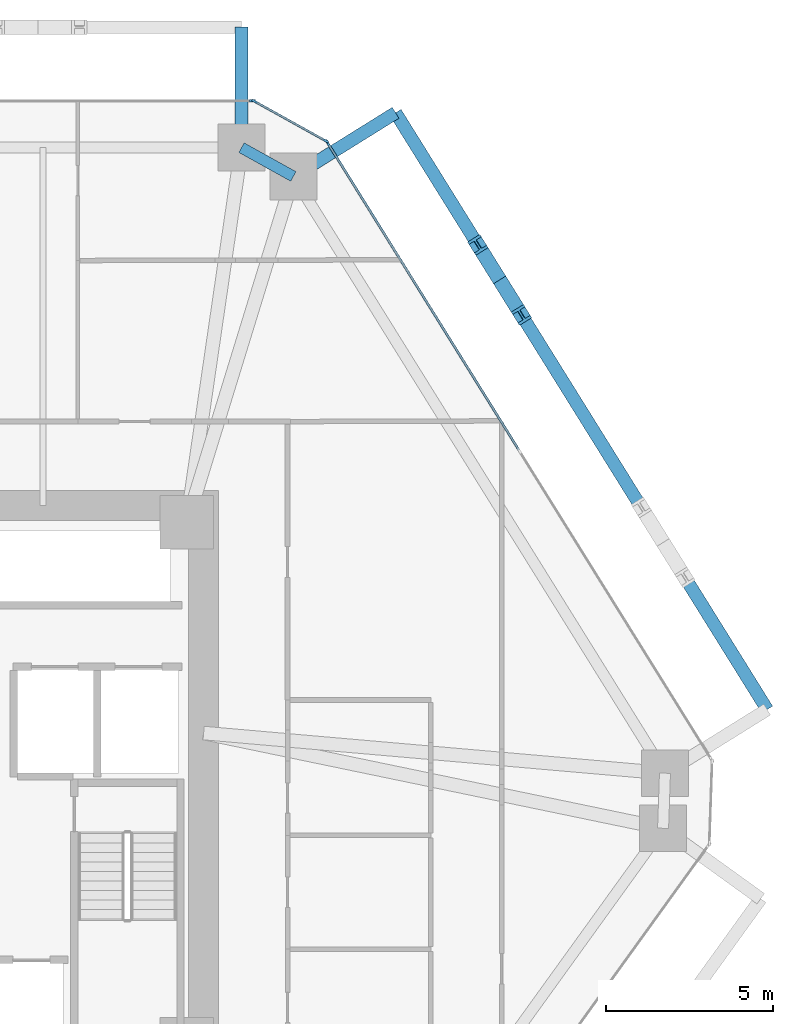
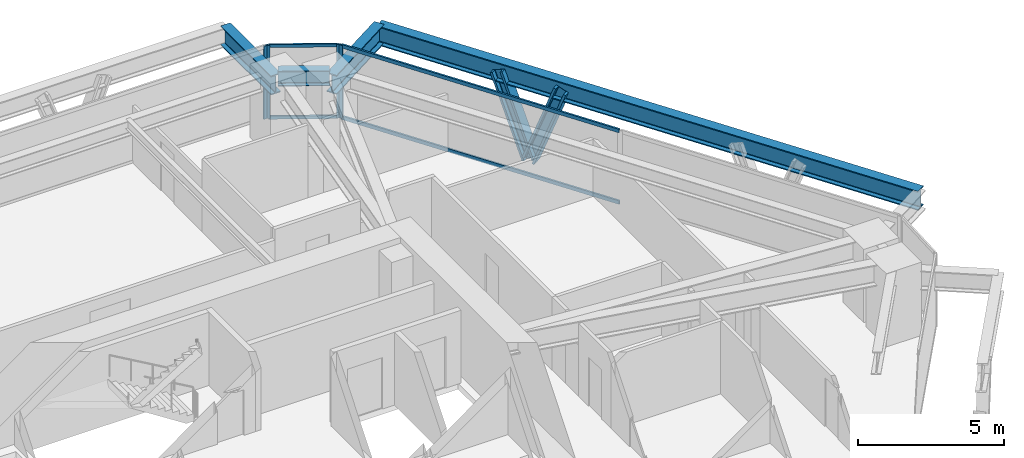
# One storey, part 9 of 15: 10 members, 4 beams, 3 elements without a shape of their own.
"""IFC4 building model written with IfcOpenShell, lengths in metres."""

from ifc_helpers import new_model, si_unit, direction, frame, origin, origin_2d, place, context, subcontext, project, spatial, rectangle, i_section, extrude, source, transform, mapped, material, layer, layer_set, material_profile, profile_set, type_object, type_shapes, element, aggregate, save


model = new_model("IFC4")

# Units and contexts
model_context = context("Model", 3, precision=1e-05, world=origin(), true_north=direction((0.0, 1.0)))
body_context = subcontext(model_context, "Body", "Model", "MODEL_VIEW")
ifc_project = project(units=[si_unit("LENGTHUNIT", "METRE"), si_unit("AREAUNIT", "SQUARE_METRE"), si_unit("VOLUMEUNIT", "CUBIC_METRE"), si_unit("PLANEANGLEUNIT", "RADIAN"), si_unit("MASSUNIT", "GRAM", prefix="KILO")], contexts=[model_context])

# Site, building, storey
site_placement = place(None, origin())
site = spatial("IfcSite", under=ifc_project, at=site_placement, CompositionType="ELEMENT")
building_placement = place(site_placement, origin())
building = spatial("IfcBuilding", under=site, at=building_placement, Name="Durnholm Broadcast Tower", CompositionType="ELEMENT")
storey_placement = place(building_placement, frame((0.0, 0.0, 55.5)))
storey = spatial("IfcBuildingStorey", under=building, at=storey_placement, Name="L13", CompositionType="ELEMENT", Elevation=55.5)

# Beams
ifc_material_1 = material(Name="Steel ASTM A992 Grade 50", Category="steel")
ifc_material_profile_1 = material_profile(ifc_material_1, i_section(OverallWidth=0.3291015625, OverallDepth=0.635009765625, WebThickness=0.017822265625, FlangeThickness=0.031005859375, FilletRadius=0.02783203125, at=origin_2d()), Name="W24X162")
ifc_profile_set_1 = profile_set([ifc_material_profile_1], Name="Steel ASTM A992 Grade 50")
beam_type_1 = type_object("IfcBeamType", Name="STL-SP-W24X162", PredefinedType="SPANDREL", material=ifc_profile_set_1)
shared_shape_1 = source(origin(), body_context, "Body", "SweptSolid", [
    extrude(i_section(OverallWidth=0.3291015625, OverallDepth=0.635009765625, WebThickness=0.017822265625, FlangeThickness=0.031005859375, FilletRadius=0.02783203125, at=origin_2d()), origin(), (0.0, 0.0, 1.0), 1.774658203125),
])
type_shapes(beam_type_1, [shared_shape_1])
beam_1_placement = place(storey_placement, frame((11.43115234375, 19.0, 2.7275390625), z_axis=(0.874248107979, -0.485479397806, 0.0), x_axis=(0.485479397806, 0.874248107979, 0.0)))
element("IfcBeam", 1, at=beam_1_placement, inside=storey, type_object=beam_type_1, Name="L13 perimeter spandrel girder 06", PredefinedType="SPANDREL", context=body_context, shape_type="MappedRepresentation", body=[
    mapped(shared_shape_1, transform((0.0, 0.0, 0.0), x_axis=(1.0, 0.0, 0.0), y_axis=(0.0, 1.0, 0.0), z_axis=(0.0, 0.0, 1.0), scale=1.0)),
])
ifc_material_profile_2 = material_profile(ifc_material_1, i_section(OverallWidth=0.385009765625, OverallDepth=0.802978515625, WebThickness=0.023681640625, FlangeThickness=0.0419921875, FilletRadius=0.032958984375, at=origin_2d()), Name="W30X261")
ifc_profile_set_2 = profile_set([ifc_material_profile_2], Name="Steel ASTM A992 Grade 50")
beam_type_2 = type_object("IfcBeamType", Name="BM-EXO-TIE", PredefinedType="USERDEFINED", material=ifc_profile_set_2)
shared_shape_2 = source(origin(), body_context, "Body", "SweptSolid", [
    extrude(i_section(OverallWidth=0.385009765625, OverallDepth=0.802978515625, WebThickness=0.023681640625, FlangeThickness=0.0419921875, FilletRadius=0.032958984375, at=origin_2d()), origin(), (0.0, 0.0, 1.0), 3.4560546875),
])
for number, where, z_axis, x_axis, name in (
    (2, (13.10498046875, 18.214599609375, 2.30859375), (0.848854443891, 0.528626648105, 0.0), (-0.528626648105, 0.848854443891, 0.0), "L13 exoskeleton stand-off tie bracket F3.2"),
    (3, (11.43115234375, 19.14404296875, 2.30859375), (0.0, 1.0, 0.0), (-1.0, 0.0, 0.0), "L13 exoskeleton stand-off tie bracket F4.1"),
):
    element("IfcBeam", number, at=place(storey_placement, frame(where, z_axis=z_axis, x_axis=x_axis)), inside=storey, type_object=beam_type_2, Name=name, ObjectType="GIRDER", PredefinedType="USERDEFINED", context=body_context, shape_type="MappedRepresentation", body=[
        mapped(shared_shape_2, transform((0.0, 0.0, 0.0), x_axis=(1.0, 0.0, 0.0), y_axis=(0.0, 1.0, 0.0), z_axis=(0.0, 0.0, 1.0), scale=1.0)),
    ])
shared_shape_3 = source(origin(), body_context, "Body", "SweptSolid", [
    extrude(i_section(OverallWidth=0.385009765625, OverallDepth=0.802978515625, WebThickness=0.023681640625, FlangeThickness=0.0419921875, FilletRadius=0.032958984375, at=origin_2d()), origin(), (0.0, 0.0, 1.0), 21.0146484375),
])
type_shapes(beam_type_2, [shared_shape_2, shared_shape_3])
beam_2_placement = place(storey_placement, frame((27.146728515625, 2.20263671875, 2.30859375), z_axis=(-0.528590518575, 0.848876942597, 0.0), x_axis=(-0.848876942597, -0.528590518575, 0.0)))
element("IfcBeam", 4, at=beam_2_placement, inside=storey, type_object=beam_type_2, Name="L13 exoskeleton collector spandrel F3", PredefinedType="SPANDREL", context=body_context, shape_type="MappedRepresentation", body=[
    mapped(shared_shape_3, transform((0.0, 0.0, 0.0), x_axis=(1.0, 0.0, 0.0), y_axis=(0.0, 1.0, 0.0), z_axis=(0.0, 0.0, 1.0), scale=1.0)),
])

# Members
ifc_material_2 = material(Name="Steel ASTM A913 Grade 65", Category="steel")
ifc_material_profile_3 = material_profile(ifc_material_2, i_section(OverallWidth=0.43212890625, OverallDepth=0.497802734375, WebThickness=0.0556640625, FlangeThickness=0.0888671875, FilletRadius=0.030517578125, at=origin_2d()), Name="W14X500")
ifc_profile_set_3 = profile_set([ifc_material_profile_3], Name="Steel ASTM A913 Grade 65")
member_type_1 = type_object("IfcMemberType", Name="STL-DG-W14X500", PredefinedType="BRACE", material=ifc_profile_set_3)
shared_shape_4 = source(origin(), body_context, "Body", "SweptSolid", [
    extrude(i_section(OverallWidth=0.43212890625, OverallDepth=0.497802734375, WebThickness=0.0556640625, FlangeThickness=0.0888671875, FilletRadius=0.030517578125, at=origin_2d()), origin(), (0.0, 0.0, 1.0), 3.523193359375),
])
type_shapes(member_type_1, [shared_shape_4])
for number, where, z_axis, x_axis, name in (
    (5, (19.14892578125, 15.04638671875, -0.991455078125), (0.185090383068, -0.297281072018, 0.936677913861), (0.848908635391, 0.528539618911, 0.0), "L13 stand-off diagrid brace F3.D2.1"),
    (6, (19.14892578125, 15.04638671875, -0.991455078125), (-0.185090383068, 0.297281072018, 0.936677913861), (-0.848908635391, -0.528539618911, 0.0), "L13 stand-off diagrid brace F3.D2.2"),
):
    element("IfcMember", number, at=place(storey_placement, frame(where, z_axis=z_axis, x_axis=x_axis)), inside=storey, type_object=member_type_1, Name=name, PredefinedType="BRACE", context=body_context, shape_type="MappedRepresentation", body=[
        mapped(shared_shape_4, transform((0.0, 0.0, 0.0), x_axis=(1.0, 0.0, 0.0), y_axis=(0.0, 1.0, 0.0), z_axis=(0.0, 0.0, 1.0), scale=1.0)),
    ])

# Curtain wall, members
ifc_material_3 = material(Name="Aluminium and Solar Control IGU", Category="aluminium")
ifc_layer_1 = layer(ifc_material_3, 0.1650390625)
ifc_layer_set_1 = layer_set([ifc_layer_1], Name="Aluminium and Solar Control IGU")
curtain_wall_type_1 = type_object("IfcCurtainWallType", Name="CW-SYS-5", PredefinedType="NOTDEFINED", material=ifc_layer_set_1)
curtain_wall_1_placement = place(storey_placement, origin())
curtain_wall_1 = element("IfcCurtainWall", 7, at=curtain_wall_1_placement, inside=storey, type_object=curtain_wall_type_1, Name="L13 curtain wall CW-CORNER CW-L13-CRN-05", PredefinedType="NOTDEFINED")
ifc_material_4 = material(Name="Aluminium 6063-T6", Category="aluminium")
ifc_material_profile_4 = material_profile(ifc_material_4, rectangle(XDim=0.06494140625, YDim=0.1650390625, at=origin_2d()), Name="CWM65X165")
ifc_profile_set_4 = profile_set([ifc_material_profile_4], Name="Aluminium 6063-T6")
member_type_2 = type_object("IfcMemberType", Name="CW-SYS-5-MUL", PredefinedType="MULLION", material=ifc_profile_set_4)
shared_shape_5 = source(origin(), body_context, "Body", "SweptSolid", [
    extrude(rectangle(XDim=0.06494140625, YDim=0.1650390625, at=origin_2d()), origin(), (0.0, 0.0, 1.0), 3.06005859375),
])
type_shapes(member_type_2, [shared_shape_5])
member_1_placement = place(storey_placement, frame((11.822265625, 20.38427734375, 0.0), z_axis=(0.0, 0.0, 1.0), x_axis=(0.485483299359, 0.874245941394, 0.0)))
member_1 = element("IfcMember", 8, at=member_1_placement, type_object=member_type_2, Name="CW-CORNER mullion 1", PredefinedType="MULLION", context=body_context, shape_type="MappedRepresentation", body=[
    mapped(shared_shape_5, transform((0.0, 0.0, 0.0), x_axis=(1.0, 0.0, 0.0), y_axis=(0.0, 1.0, 0.0), z_axis=(0.0, 0.0, 1.0), scale=1.0)),
])
member_2_placement = place(storey_placement, frame((13.950927734375, 19.2021484375, 0.0), z_axis=(0.0, 0.0, 1.0), x_axis=(0.485483299359, 0.874245941394, 0.0)))
member_2 = element("IfcMember", 9, at=member_2_placement, type_object=member_type_2, Name="CW-CORNER mullion 2", PredefinedType="MULLION", context=body_context, shape_type="MappedRepresentation", body=[
    mapped(shared_shape_5, transform((0.0, 0.0, 0.0), x_axis=(1.0, 0.0, 0.0), y_axis=(0.0, 1.0, 0.0), z_axis=(0.0, 0.0, 1.0), scale=1.0)),
])
ifc_material_profile_5 = material_profile(ifc_material_4, rectangle(XDim=0.06494140625, YDim=0.1298828125, at=origin_2d()), Name="CWT65X130")
ifc_profile_set_5 = profile_set([ifc_material_profile_5], Name="Aluminium 6063-T6")
member_type_3 = type_object("IfcMemberType", Name="CW-SYS-5-TRN", PredefinedType="USERDEFINED", material=ifc_profile_set_5)
shared_shape_6 = source(origin(), body_context, "Body", "SweptSolid", [
    extrude(rectangle(XDim=0.06494140625, YDim=0.1298828125, at=origin_2d()), origin(), (0.0, 0.0, 1.0), 2.3701171875),
])
type_shapes(member_type_3, [shared_shape_6])
member_3_placement = place(storey_placement, frame((11.8505859375, 20.368408203125, 0.032470703125), z_axis=(0.874244723151, -0.485485493132, 0.0), x_axis=(0.485485493132, 0.874244723151, 0.0)))
member_3 = element("IfcMember", 10, at=member_3_placement, type_object=member_type_3, Name="CW-CORNER transom 1.1", ObjectType="TRANSOM", PredefinedType="USERDEFINED", context=body_context, shape_type="MappedRepresentation", body=[
    mapped(shared_shape_6, transform((0.0, 0.0, 0.0), x_axis=(1.0, 0.0, 0.0), y_axis=(0.0, 1.0, 0.0), z_axis=(0.0, 0.0, 1.0), scale=1.0)),
])
member_4_placement = place(storey_placement, frame((11.8505859375, 20.368408203125, 3.027587890625), z_axis=(0.874244723151, -0.485485493132, 0.0), x_axis=(0.485485493132, 0.874244723151, 0.0)))
member_4 = element("IfcMember", 11, at=member_4_placement, type_object=member_type_3, Name="CW-CORNER transom 1.2", ObjectType="TRANSOM", PredefinedType="USERDEFINED", context=body_context, shape_type="MappedRepresentation", body=[
    mapped(shared_shape_6, transform((0.0, 0.0, 0.0), x_axis=(1.0, 0.0, 0.0), y_axis=(0.0, 1.0, 0.0), z_axis=(0.0, 0.0, 1.0), scale=1.0)),
])
aggregate(curtain_wall_1, [member_1, member_2, member_3, member_4])

# Curtain wall, member
ifc_layer_2 = layer(ifc_material_3, 0.18994140625)
ifc_layer_set_2 = layer_set([ifc_layer_2], Name="Aluminium and Solar Control IGU")
curtain_wall_type_2 = type_object("IfcCurtainWallType", Name="CW-SYS-3", PredefinedType="NOTDEFINED", material=ifc_layer_set_2)
curtain_wall_2_placement = place(storey_placement, origin())
curtain_wall_2 = element("IfcCurtainWall", 12, at=curtain_wall_2_placement, inside=storey, type_object=curtain_wall_type_2, Name="L13 curtain wall CW-Z12-VIS CW-L13-F04", PredefinedType="NOTDEFINED")
ifc_material_profile_6 = material_profile(ifc_material_4, rectangle(XDim=0.070068359375, YDim=0.18994140625, at=origin_2d()), Name="CWM70X190")
ifc_profile_set_6 = profile_set([ifc_material_profile_6], Name="Aluminium 6063-T6")
member_type_4 = type_object("IfcMemberType", Name="CW-SYS-3-MUL", PredefinedType="MULLION", material=ifc_profile_set_6)
shared_shape_7 = source(origin(), body_context, "Body", "SweptSolid", [
    extrude(rectangle(XDim=0.070068359375, YDim=0.18994140625, at=origin_2d()), origin(), (0.0, 0.0, 1.0), 3.06005859375),
])
type_shapes(member_type_4, [shared_shape_7])
member_5_placement = place(storey_placement, frame((11.7587890625, 20.39990234375, 0.0), z_axis=(0.0, 0.0, 1.0), x_axis=(0.0, 1.0, 0.0)))
member_5 = element("IfcMember", 13, at=member_5_placement, type_object=member_type_4, Name="CW-Z12-VIS mullion 3", PredefinedType="MULLION", context=body_context, shape_type="MappedRepresentation", body=[
    mapped(shared_shape_7, transform((0.0, 0.0, 0.0), x_axis=(1.0, 0.0, 0.0), y_axis=(0.0, 1.0, 0.0), z_axis=(0.0, 0.0, 1.0), scale=1.0)),
])
aggregate(curtain_wall_2, [member_5])

# Curtain wall, members
curtain_wall_3_placement = place(storey_placement, origin())
curtain_wall_3 = element("IfcCurtainWall", 14, at=curtain_wall_3_placement, inside=storey, type_object=curtain_wall_type_2, Name="L13 curtain wall CW-Z12-VIS CW-L13-F06", PredefinedType="NOTDEFINED")
member_6_placement = place(storey_placement, frame((13.997802734375, 19.156494140625, 0.0), z_axis=(0.0, 0.0, 1.0), x_axis=(0.848875785503, 0.528592376777, 0.0)))
member_6 = element("IfcMember", 15, at=member_6_placement, type_object=member_type_4, Name="CW-Z12-VIS mullion 1", PredefinedType="MULLION", context=body_context, shape_type="MappedRepresentation", body=[
    mapped(shared_shape_7, transform((0.0, 0.0, 0.0), x_axis=(1.0, 0.0, 0.0), y_axis=(0.0, 1.0, 0.0), z_axis=(0.0, 0.0, 1.0), scale=1.0)),
])
ifc_material_profile_7 = material_profile(ifc_material_4, rectangle(XDim=0.070068359375, YDim=0.14990234375, at=origin_2d()), Name="CWT70X150")
ifc_profile_set_7 = profile_set([ifc_material_profile_7], Name="Aluminium 6063-T6")
member_type_5 = type_object("IfcMemberType", Name="CW-SYS-3-TRN", PredefinedType="USERDEFINED", material=ifc_profile_set_7)
shared_shape_8 = source(origin(), body_context, "Body", "SweptSolid", [
    extrude(rectangle(XDim=0.070068359375, YDim=0.14990234375, at=origin_2d()), origin(), (0.0, 0.0, 1.0), 10.796630859375),
])
type_shapes(member_type_5, [shared_shape_8])
member_7_placement = place(storey_placement, frame((14.016357421875, 19.126953125, 0.034912109375), z_axis=(0.528591657678, -0.848876233283, 0.0), x_axis=(0.848876233283, 0.528591657678, 0.0)))
member_7 = element("IfcMember", 16, at=member_7_placement, type_object=member_type_5, Name="CW-Z12-VIS transom 1.1", ObjectType="TRANSOM", PredefinedType="USERDEFINED", context=body_context, shape_type="MappedRepresentation", body=[
    mapped(shared_shape_8, transform((0.0, 0.0, 0.0), x_axis=(1.0, 0.0, 0.0), y_axis=(0.0, 1.0, 0.0), z_axis=(0.0, 0.0, 1.0), scale=1.0)),
])
member_8_placement = place(storey_placement, frame((14.016357421875, 19.126953125, 3.02490234375), z_axis=(0.528591657678, -0.848876233283, 0.0), x_axis=(0.848876233283, 0.528591657678, 0.0)))
member_8 = element("IfcMember", 17, at=member_8_placement, type_object=member_type_5, Name="CW-Z12-VIS transom 1.2", ObjectType="TRANSOM", PredefinedType="USERDEFINED", context=body_context, shape_type="MappedRepresentation", body=[
    mapped(shared_shape_8, transform((0.0, 0.0, 0.0), x_axis=(1.0, 0.0, 0.0), y_axis=(0.0, 1.0, 0.0), z_axis=(0.0, 0.0, 1.0), scale=1.0)),
])
aggregate(curtain_wall_3, [member_6, member_7, member_8])

save(model, "model.ifc")
